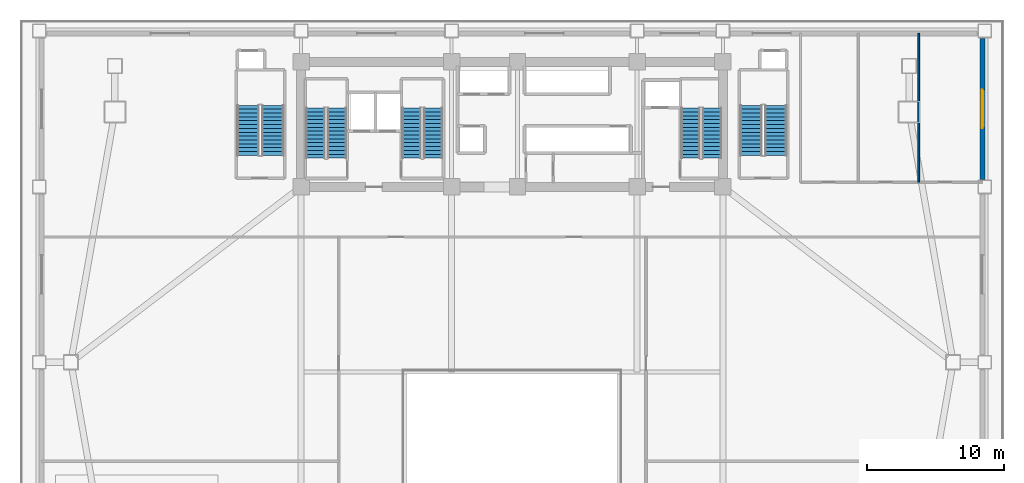
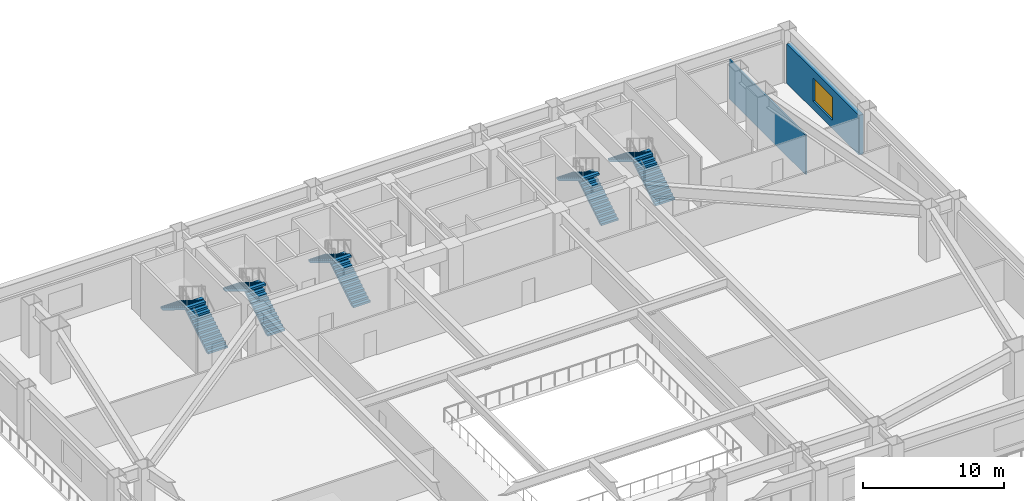
# One storey, part 9 of 14: 10 stair flights, 2 walls, 1 window, 1 opening, 5 elements without a shape of their own.
"""IFC4 building model written with IfcOpenShell, lengths in metres."""

from ifc_helpers import new_model, si_unit, direction, frame, frame_2d, origin, place, context, subcontext, project, spatial, polyline, rectangle, outline, extrude, source, transform, mapped, material, layer, layer_set, type_object, element, fill, aggregate, save


model = new_model("IFC4")

# Units and contexts
model_context = context("Model", 3, precision=1e-05, world=origin(), true_north=direction((0.0, 1.0)))
body_context = subcontext(model_context, "Body", "Model", "MODEL_VIEW")
ifc_project = project(units=[si_unit("LENGTHUNIT", "METRE"), si_unit("AREAUNIT", "SQUARE_METRE"), si_unit("VOLUMEUNIT", "CUBIC_METRE"), si_unit("PLANEANGLEUNIT", "RADIAN"), si_unit("MASSUNIT", "GRAM", prefix="KILO")], contexts=[model_context])

# Site, building, storey
site_placement = place(None, origin())
site = spatial("IfcSite", under=ifc_project, at=site_placement, CompositionType="ELEMENT")
building_placement = place(site_placement, origin())
building = spatial("IfcBuilding", under=site, at=building_placement, Name="Giltprow Tower", CompositionType="ELEMENT")
storey_placement = place(building_placement, frame((0.0, 0.0, 10.39990234375)))
storey = spatial("IfcBuildingStorey", under=building, at=storey_placement, Name="L03", CompositionType="ELEMENT", Elevation=10.39990234375)

# Wall, opening, window
ifc_material_1 = material(Name="Precast concrete C40", Category="concrete")
ifc_layer_1 = layer(ifc_material_1, 0.360107421875, Name="Precast concrete C40")
ifc_layer_set_1 = layer_set([ifc_layer_1], Name="Precast concrete C40")
wall_type_1 = type_object("IfcWallType", Name="EW-POD-STONE-360", PredefinedType="SOLIDWALL", material=ifc_layer_set_1)
wall_1_placement = place(storey_placement, frame((69.419921875, 38.0, 0.0), z_axis=(0.0, 0.0, 1.0), x_axis=(0.0, 1.0, 0.0)))
wall_1 = element("IfcWall", 1, at=wall_1_placement, inside=storey, type_object=wall_type_1, Name="L03 E Podium Masonry Wall 3", PredefinedType="SOLIDWALL", context=body_context, shape_type="SweptSolid", body=[
    extrude(rectangle(XDim=10.25, YDim=0.360107421875, at=frame_2d((5.125, 0.0))), origin(), (0.0, 0.0, 1.0), 3.420166015625),
])
opening_placement = place(wall_1_placement, frame((3.72509765625, 0.0, 0.719970703125)))
opening = element("IfcOpeningElement", 2, at=opening_placement, cuts=wall_1, Name="Opening WN31", PredefinedType="OPENING", context=body_context, shape_type="SweptSolid", body=[
    extrude(rectangle(XDim=2.800048828125, YDim=2.0, at=frame_2d((1.39990234375, 1.0))), frame((0.0, 0.18994140625, 0.0), z_axis=(0.0, -1.0, 0.0), x_axis=(1.0, 0.0, 0.0)), (0.0, 0.0, 1.0), 0.380126953125),
])
ifc_material_2 = material(Name="Insulated glass", Category="glass")
window_type = type_object("IfcWindowType", Name="WN-POD-2800x2000", PartitioningType="SINGLE_PANEL", PredefinedType="WINDOW", material=ifc_material_2)
shared_shape = source(origin(), body_context, "Body", "SweptSolid", [
    extrude(rectangle(XDim=2.800048828125, YDim=2.0, at=frame_2d((1.39990234375, 1.0))), frame((0.0, 0.030029296875, 0.0), z_axis=(0.0, -1.0, 0.0), x_axis=(1.0, 0.0, 0.0)), (0.0, 0.0, 1.0), 0.06005859375),
])
window_placement = place(opening_placement, origin())
window = element("IfcWindow", 3, at=window_placement, inside=storey, type_object=window_type, Name="L03 Podium E Window 3", OverallHeight=2.0, OverallWidth=2.800048828125, PartitioningType="SINGLE_PANEL", PredefinedType="WINDOW", context=body_context, shape_type="MappedRepresentation", body=[
    mapped(shared_shape, transform((0.0, 0.0, 0.0), x_axis=(1.0, 0.0, 0.0), y_axis=(0.0, 1.0, 0.0), z_axis=(0.0, 0.0, 1.0), scale=1.0)),
])
fill(opening, window)

# Wall
ifc_material_3 = material(Name="Concrete C30", Category="concrete")
ifc_layer_2 = layer(ifc_material_3, 0.1298828125, Name="Concrete C30")
ifc_layer_set_2 = layer_set([ifc_layer_2], Name="Concrete C30")
wall_type_2 = type_object("IfcWallType", Name="IW-WET-130", PredefinedType="PARTITIONING", material=ifc_layer_set_2)
wall_2_placement = place(storey_placement, frame((64.800048828125, 37.800048828125, 0.0), z_axis=(0.0, 0.0, 1.0), x_axis=(0.0, 1.0, 0.0)))
element("IfcWall", 4, at=wall_2_placement, inside=storey, type_object=wall_type_2, Name="L03 Washroom Divider 2", PredefinedType="PARTITIONING", context=body_context, shape_type="SweptSolid", body=[
    extrude(rectangle(XDim=10.820068359375, YDim=0.1298828125, at=frame_2d((5.41015625, 0.0))), origin(), (0.0, 0.0, 1.0), 3.425048828125),
])

# Stair, stair flights
ifc_material_4 = material(Name="Concrete C40", Category="concrete")
stair_type_1 = type_object("IfcStairType", Name="STR-ST-1", PredefinedType="HALF_TURN_STAIR", material=ifc_material_4)
stair_1_placement = place(storey_placement, origin())
stair_1 = element("IfcStair", 5, at=stair_1_placement, inside=storey, type_object=stair_type_1, Name="L03 Core Exit Stair ST-1", PredefinedType="HALF_TURN_STAIR")
stair_flight_type_1 = type_object("IfcStairFlightType", Name="SFL-ST-1", PredefinedType="STRAIGHT", material=ifc_material_4)
stair_flight_1_placement = place(storey_placement, frame((22.4599609375, 39.550048828125, 0.0), z_axis=(0.0, 0.0, 1.0), x_axis=(0.0, 1.0, 0.0)))
stair_flight_1 = element("IfcStairFlight", 6, at=stair_flight_1_placement, type_object=stair_flight_type_1, Name="ST-1 flight 1", NumberOfRisers=14, NumberOfTreads=13, PredefinedType="STRAIGHT", RiserHeight=0.171428571, TreadLength=0.28, context=body_context, shape_type="SweptSolid", body=[
    extrude(outline(polyline([(0.0, 0.0), (0.0, 0.17138671875), (0.280029296875, 0.17138671875), (0.280029296875, 0.3427734375), (0.56005859375, 0.3427734375), (0.56005859375, 0.514404296875), (0.840087890625, 0.514404296875), (0.840087890625, 0.685791015625), (1.1201171875, 0.685791015625), (1.1201171875, 0.857177734375), (1.39990234375, 0.857177734375), (1.39990234375, 1.028564453125), (1.679931640625, 1.028564453125), (1.679931640625, 1.199951171875), (1.9599609375, 1.199951171875), (1.9599609375, 1.371337890625), (2.239990234375, 1.371337890625), (2.239990234375, 1.54296875), (2.52001953125, 1.54296875), (2.52001953125, 1.71435546875), (2.800048828125, 1.71435546875), (2.800048828125, 1.8857421875), (3.080078125, 1.8857421875), (3.080078125, 2.05712890625), (3.360107421875, 2.05712890625), (3.360107421875, 2.228515625), (3.639892578125, 2.228515625), (3.639892578125, 2.39990234375), (3.639892578125, 2.052734375), (0.287109375, 0.0), (0.0, 0.0)])), frame((0.0, 0.699951171875, 0.0), z_axis=(0.0, -1.0, 0.0), x_axis=(1.0, 0.0, 0.0)), (0.0, 0.0, 1.0), 1.39990234375),
])
stair_flight_2_placement = place(storey_placement, frame((20.89990234375, 43.18994140625, 2.400146484375), z_axis=(0.0, 0.0, 1.0), x_axis=(0.0, -1.0, 0.0)))
stair_flight_2 = element("IfcStairFlight", 7, at=stair_flight_2_placement, type_object=stair_flight_type_1, Name="ST-1 flight 2", NumberOfRisers=14, NumberOfTreads=13, PredefinedType="STRAIGHT", RiserHeight=0.171428571, TreadLength=0.28, context=body_context, shape_type="SweptSolid", body=[
    extrude(outline(polyline([(0.0, 0.0), (0.0, 0.17138671875), (0.280029296875, 0.17138671875), (0.280029296875, 0.3427734375), (0.56005859375, 0.3427734375), (0.56005859375, 0.514404296875), (0.840087890625, 0.514404296875), (0.840087890625, 0.685791015625), (1.1201171875, 0.685791015625), (1.1201171875, 0.857177734375), (1.39990234375, 0.857177734375), (1.39990234375, 1.028564453125), (1.679931640625, 1.028564453125), (1.679931640625, 1.199951171875), (1.9599609375, 1.199951171875), (1.9599609375, 1.371337890625), (2.239990234375, 1.371337890625), (2.239990234375, 1.54296875), (2.52001953125, 1.54296875), (2.52001953125, 1.71435546875), (2.800048828125, 1.71435546875), (2.800048828125, 1.8857421875), (3.080078125, 1.8857421875), (3.080078125, 2.05712890625), (3.360107421875, 2.05712890625), (3.360107421875, 2.228515625), (3.639892578125, 2.228515625), (3.639892578125, 2.39990234375), (3.639892578125, 2.052734375), (0.287109375, 0.0), (0.0, 0.0)])), frame((0.0, 0.699951171875, 0.0), z_axis=(0.0, -1.0, 0.0), x_axis=(1.0, 0.0, 0.0)), (0.0, 0.0, 1.0), 1.39990234375),
])
aggregate(stair_1, [stair_flight_1, stair_flight_2])

stair_type_2 = type_object("IfcStairType", Name="STR-ST-2", PredefinedType="HALF_TURN_STAIR", material=ifc_material_4)
stair_2_placement = place(storey_placement, origin())
stair_2 = element("IfcStair", 8, at=stair_2_placement, inside=storey, type_object=stair_type_2, Name="L03 Core Exit Stair ST-2", PredefinedType="HALF_TURN_STAIR")
stair_flight_type_2 = type_object("IfcStairFlightType", Name="SFL-ST-2", PredefinedType="STRAIGHT", material=ifc_material_4)
stair_flight_3_placement = place(storey_placement, frame((29.4599609375, 39.550048828125, 0.0), z_axis=(0.0, 0.0, 1.0), x_axis=(0.0, 1.0, 0.0)))
stair_flight_3 = element("IfcStairFlight", 9, at=stair_flight_3_placement, type_object=stair_flight_type_2, Name="ST-2 flight 1", NumberOfRisers=14, NumberOfTreads=13, PredefinedType="STRAIGHT", RiserHeight=0.171428571, TreadLength=0.28, context=body_context, shape_type="SweptSolid", body=[
    extrude(outline(polyline([(0.0, 0.0), (0.0, 0.17138671875), (0.280029296875, 0.17138671875), (0.280029296875, 0.3427734375), (0.56005859375, 0.3427734375), (0.56005859375, 0.514404296875), (0.840087890625, 0.514404296875), (0.840087890625, 0.685791015625), (1.1201171875, 0.685791015625), (1.1201171875, 0.857177734375), (1.39990234375, 0.857177734375), (1.39990234375, 1.028564453125), (1.679931640625, 1.028564453125), (1.679931640625, 1.199951171875), (1.9599609375, 1.199951171875), (1.9599609375, 1.371337890625), (2.239990234375, 1.371337890625), (2.239990234375, 1.54296875), (2.52001953125, 1.54296875), (2.52001953125, 1.71435546875), (2.800048828125, 1.71435546875), (2.800048828125, 1.8857421875), (3.080078125, 1.8857421875), (3.080078125, 2.05712890625), (3.360107421875, 2.05712890625), (3.360107421875, 2.228515625), (3.639892578125, 2.228515625), (3.639892578125, 2.39990234375), (3.639892578125, 2.052734375), (0.287109375, 0.0), (0.0, 0.0)])), frame((0.0, 0.699951171875, 0.0), z_axis=(0.0, -1.0, 0.0), x_axis=(1.0, 0.0, 0.0)), (0.0, 0.0, 1.0), 1.39990234375),
])
stair_flight_4_placement = place(storey_placement, frame((27.89990234375, 43.18994140625, 2.400146484375), z_axis=(0.0, 0.0, 1.0), x_axis=(0.0, -1.0, 0.0)))
stair_flight_4 = element("IfcStairFlight", 10, at=stair_flight_4_placement, type_object=stair_flight_type_2, Name="ST-2 flight 2", NumberOfRisers=14, NumberOfTreads=13, PredefinedType="STRAIGHT", RiserHeight=0.171428571, TreadLength=0.28, context=body_context, shape_type="SweptSolid", body=[
    extrude(outline(polyline([(0.0, 0.0), (0.0, 0.17138671875), (0.280029296875, 0.17138671875), (0.280029296875, 0.3427734375), (0.56005859375, 0.3427734375), (0.56005859375, 0.514404296875), (0.840087890625, 0.514404296875), (0.840087890625, 0.685791015625), (1.1201171875, 0.685791015625), (1.1201171875, 0.857177734375), (1.39990234375, 0.857177734375), (1.39990234375, 1.028564453125), (1.679931640625, 1.028564453125), (1.679931640625, 1.199951171875), (1.9599609375, 1.199951171875), (1.9599609375, 1.371337890625), (2.239990234375, 1.371337890625), (2.239990234375, 1.54296875), (2.52001953125, 1.54296875), (2.52001953125, 1.71435546875), (2.800048828125, 1.71435546875), (2.800048828125, 1.8857421875), (3.080078125, 1.8857421875), (3.080078125, 2.05712890625), (3.360107421875, 2.05712890625), (3.360107421875, 2.228515625), (3.639892578125, 2.228515625), (3.639892578125, 2.39990234375), (3.639892578125, 2.052734375), (0.287109375, 0.0), (0.0, 0.0)])), frame((0.0, 0.699951171875, 0.0), z_axis=(0.0, -1.0, 0.0), x_axis=(1.0, 0.0, 0.0)), (0.0, 0.0, 1.0), 1.39990234375),
])
aggregate(stair_2, [stair_flight_3, stair_flight_4])

stair_type_3 = type_object("IfcStairType", Name="STR-ST-3", PredefinedType="HALF_TURN_STAIR", material=ifc_material_4)
stair_3_placement = place(storey_placement, origin())
stair_3 = element("IfcStair", 11, at=stair_3_placement, inside=storey, type_object=stair_type_3, Name="L03 Core Exit Stair ST-3", PredefinedType="HALF_TURN_STAIR")
stair_flight_type_3 = type_object("IfcStairFlightType", Name="SFL-ST-3", PredefinedType="STRAIGHT", material=ifc_material_4)
stair_flight_5_placement = place(storey_placement, frame((49.760009765625, 39.550048828125, 0.0), z_axis=(0.0, 0.0, 1.0), x_axis=(0.0, 1.0, 0.0)))
stair_flight_5 = element("IfcStairFlight", 12, at=stair_flight_5_placement, type_object=stair_flight_type_3, Name="ST-3 flight 1", NumberOfRisers=14, NumberOfTreads=13, PredefinedType="STRAIGHT", RiserHeight=0.171428571, TreadLength=0.28, context=body_context, shape_type="SweptSolid", body=[
    extrude(outline(polyline([(0.0, 0.0), (0.0, 0.17138671875), (0.280029296875, 0.17138671875), (0.280029296875, 0.3427734375), (0.56005859375, 0.3427734375), (0.56005859375, 0.514404296875), (0.840087890625, 0.514404296875), (0.840087890625, 0.685791015625), (1.1201171875, 0.685791015625), (1.1201171875, 0.857177734375), (1.39990234375, 0.857177734375), (1.39990234375, 1.028564453125), (1.679931640625, 1.028564453125), (1.679931640625, 1.199951171875), (1.9599609375, 1.199951171875), (1.9599609375, 1.371337890625), (2.239990234375, 1.371337890625), (2.239990234375, 1.54296875), (2.52001953125, 1.54296875), (2.52001953125, 1.71435546875), (2.800048828125, 1.71435546875), (2.800048828125, 1.8857421875), (3.080078125, 1.8857421875), (3.080078125, 2.05712890625), (3.360107421875, 2.05712890625), (3.360107421875, 2.228515625), (3.639892578125, 2.228515625), (3.639892578125, 2.39990234375), (3.639892578125, 2.052734375), (0.287109375, 0.0), (0.0, 0.0)])), frame((0.0, 0.699951171875, 0.0), z_axis=(0.0, -1.0, 0.0), x_axis=(1.0, 0.0, 0.0)), (0.0, 0.0, 1.0), 1.39990234375),
])
stair_flight_6_placement = place(storey_placement, frame((48.199951171875, 43.18994140625, 2.400146484375), z_axis=(0.0, 0.0, 1.0), x_axis=(0.0, -1.0, 0.0)))
stair_flight_6 = element("IfcStairFlight", 13, at=stair_flight_6_placement, type_object=stair_flight_type_3, Name="ST-3 flight 2", NumberOfRisers=14, NumberOfTreads=13, PredefinedType="STRAIGHT", RiserHeight=0.171428571, TreadLength=0.28, context=body_context, shape_type="SweptSolid", body=[
    extrude(outline(polyline([(0.0, 0.0), (0.0, 0.17138671875), (0.280029296875, 0.17138671875), (0.280029296875, 0.3427734375), (0.56005859375, 0.3427734375), (0.56005859375, 0.514404296875), (0.840087890625, 0.514404296875), (0.840087890625, 0.685791015625), (1.1201171875, 0.685791015625), (1.1201171875, 0.857177734375), (1.39990234375, 0.857177734375), (1.39990234375, 1.028564453125), (1.679931640625, 1.028564453125), (1.679931640625, 1.199951171875), (1.9599609375, 1.199951171875), (1.9599609375, 1.371337890625), (2.239990234375, 1.371337890625), (2.239990234375, 1.54296875), (2.52001953125, 1.54296875), (2.52001953125, 1.71435546875), (2.800048828125, 1.71435546875), (2.800048828125, 1.8857421875), (3.080078125, 1.8857421875), (3.080078125, 2.05712890625), (3.360107421875, 2.05712890625), (3.360107421875, 2.228515625), (3.639892578125, 2.228515625), (3.639892578125, 2.39990234375), (3.639892578125, 2.052734375), (0.287109375, 0.0), (0.0, 0.0)])), frame((0.0, 0.699951171875, 0.0), z_axis=(0.0, -1.0, 0.0), x_axis=(1.0, 0.0, 0.0)), (0.0, 0.0, 1.0), 1.39990234375),
])
aggregate(stair_3, [stair_flight_5, stair_flight_6])

stair_type_4 = type_object("IfcStairType", Name="STR-ST-P1", PredefinedType="HALF_TURN_STAIR", material=ifc_material_4)
stair_4_placement = place(storey_placement, origin())
stair_4 = element("IfcStair", 14, at=stair_4_placement, inside=storey, type_object=stair_type_4, Name="L03 Podium Exit Stair ST-P1", PredefinedType="HALF_TURN_STAIR")
stair_flight_type_4 = type_object("IfcStairFlightType", Name="SFL-ST-P1", PredefinedType="STRAIGHT", material=ifc_material_4)
stair_flight_7_placement = place(storey_placement, frame((17.800048828125, 39.75, 0.0), z_axis=(0.0, 0.0, 1.0), x_axis=(0.0, 1.0, 0.0)))
stair_flight_7 = element("IfcStairFlight", 15, at=stair_flight_7_placement, type_object=stair_flight_type_4, Name="ST-P1 flight 1", NumberOfRisers=14, NumberOfTreads=13, PredefinedType="STRAIGHT", RiserHeight=0.171428571, TreadLength=0.28, context=body_context, shape_type="SweptSolid", body=[
    extrude(outline(polyline([(0.0, 0.0), (0.0, 0.17138671875), (0.280029296875, 0.17138671875), (0.280029296875, 0.3427734375), (0.56005859375, 0.3427734375), (0.56005859375, 0.514404296875), (0.840087890625, 0.514404296875), (0.840087890625, 0.685791015625), (1.1201171875, 0.685791015625), (1.1201171875, 0.857177734375), (1.39990234375, 0.857177734375), (1.39990234375, 1.028564453125), (1.679931640625, 1.028564453125), (1.679931640625, 1.199951171875), (1.9599609375, 1.199951171875), (1.9599609375, 1.371337890625), (2.239990234375, 1.371337890625), (2.239990234375, 1.54296875), (2.52001953125, 1.54296875), (2.52001953125, 1.71435546875), (2.800048828125, 1.71435546875), (2.800048828125, 1.8857421875), (3.080078125, 1.8857421875), (3.080078125, 2.05712890625), (3.360107421875, 2.05712890625), (3.360107421875, 2.228515625), (3.639892578125, 2.228515625), (3.639892578125, 2.39990234375), (3.639892578125, 2.052734375), (0.287109375, 0.0), (0.0, 0.0)])), frame((0.0, 0.800048828125, 0.0), z_axis=(0.0, -1.0, 0.0), x_axis=(1.0, 0.0, 0.0)), (0.0, 0.0, 1.0), 1.60009765625),
])
stair_flight_8_placement = place(storey_placement, frame((16.0, 43.389892578125, 2.400146484375), z_axis=(0.0, 0.0, 1.0), x_axis=(0.0, -1.0, 0.0)))
stair_flight_8 = element("IfcStairFlight", 16, at=stair_flight_8_placement, type_object=stair_flight_type_4, Name="ST-P1 flight 2", NumberOfRisers=14, NumberOfTreads=13, PredefinedType="STRAIGHT", RiserHeight=0.171428571, TreadLength=0.28, context=body_context, shape_type="SweptSolid", body=[
    extrude(outline(polyline([(0.0, 0.0), (0.0, 0.17138671875), (0.280029296875, 0.17138671875), (0.280029296875, 0.3427734375), (0.56005859375, 0.3427734375), (0.56005859375, 0.514404296875), (0.840087890625, 0.514404296875), (0.840087890625, 0.685791015625), (1.1201171875, 0.685791015625), (1.1201171875, 0.857177734375), (1.39990234375, 0.857177734375), (1.39990234375, 1.028564453125), (1.679931640625, 1.028564453125), (1.679931640625, 1.199951171875), (1.9599609375, 1.199951171875), (1.9599609375, 1.371337890625), (2.239990234375, 1.371337890625), (2.239990234375, 1.54296875), (2.52001953125, 1.54296875), (2.52001953125, 1.71435546875), (2.800048828125, 1.71435546875), (2.800048828125, 1.8857421875), (3.080078125, 1.8857421875), (3.080078125, 2.05712890625), (3.360107421875, 2.05712890625), (3.360107421875, 2.228515625), (3.639892578125, 2.228515625), (3.639892578125, 2.39990234375), (3.639892578125, 2.052734375), (0.287109375, 0.0), (0.0, 0.0)])), frame((0.0, 0.800048828125, 0.0), z_axis=(0.0, -1.0, 0.0), x_axis=(1.0, 0.0, 0.0)), (0.0, 0.0, 1.0), 1.60009765625),
])
aggregate(stair_4, [stair_flight_7, stair_flight_8])

stair_type_5 = type_object("IfcStairType", Name="STR-ST-P2", PredefinedType="HALF_TURN_STAIR", material=ifc_material_4)
stair_5_placement = place(storey_placement, origin())
stair_5 = element("IfcStair", 17, at=stair_5_placement, inside=storey, type_object=stair_type_5, Name="L03 Podium Exit Stair ST-P2", PredefinedType="HALF_TURN_STAIR")
stair_flight_type_5 = type_object("IfcStairFlightType", Name="SFL-ST-P2", PredefinedType="STRAIGHT", material=ifc_material_4)
stair_flight_9_placement = place(storey_placement, frame((54.39990234375, 39.75, 0.0), z_axis=(0.0, 0.0, 1.0), x_axis=(0.0, 1.0, 0.0)))
stair_flight_9 = element("IfcStairFlight", 18, at=stair_flight_9_placement, type_object=stair_flight_type_5, Name="ST-P2 flight 1", NumberOfRisers=14, NumberOfTreads=13, PredefinedType="STRAIGHT", RiserHeight=0.171428571, TreadLength=0.28, context=body_context, shape_type="SweptSolid", body=[
    extrude(outline(polyline([(0.0, 0.0), (0.0, 0.17138671875), (0.280029296875, 0.17138671875), (0.280029296875, 0.3427734375), (0.56005859375, 0.3427734375), (0.56005859375, 0.514404296875), (0.840087890625, 0.514404296875), (0.840087890625, 0.685791015625), (1.1201171875, 0.685791015625), (1.1201171875, 0.857177734375), (1.39990234375, 0.857177734375), (1.39990234375, 1.028564453125), (1.679931640625, 1.028564453125), (1.679931640625, 1.199951171875), (1.9599609375, 1.199951171875), (1.9599609375, 1.371337890625), (2.239990234375, 1.371337890625), (2.239990234375, 1.54296875), (2.52001953125, 1.54296875), (2.52001953125, 1.71435546875), (2.800048828125, 1.71435546875), (2.800048828125, 1.8857421875), (3.080078125, 1.8857421875), (3.080078125, 2.05712890625), (3.360107421875, 2.05712890625), (3.360107421875, 2.228515625), (3.639892578125, 2.228515625), (3.639892578125, 2.39990234375), (3.639892578125, 2.052734375), (0.287109375, 0.0), (0.0, 0.0)])), frame((0.0, 0.800048828125, 0.0), z_axis=(0.0, -1.0, 0.0), x_axis=(1.0, 0.0, 0.0)), (0.0, 0.0, 1.0), 1.60009765625),
])
stair_flight_10_placement = place(storey_placement, frame((52.60009765625, 43.389892578125, 2.400146484375), z_axis=(0.0, 0.0, 1.0), x_axis=(0.0, -1.0, 0.0)))
stair_flight_10 = element("IfcStairFlight", 19, at=stair_flight_10_placement, type_object=stair_flight_type_5, Name="ST-P2 flight 2", NumberOfRisers=14, NumberOfTreads=13, PredefinedType="STRAIGHT", RiserHeight=0.171428571, TreadLength=0.28, context=body_context, shape_type="SweptSolid", body=[
    extrude(outline(polyline([(0.0, 0.0), (0.0, 0.17138671875), (0.280029296875, 0.17138671875), (0.280029296875, 0.3427734375), (0.56005859375, 0.3427734375), (0.56005859375, 0.514404296875), (0.840087890625, 0.514404296875), (0.840087890625, 0.685791015625), (1.1201171875, 0.685791015625), (1.1201171875, 0.857177734375), (1.39990234375, 0.857177734375), (1.39990234375, 1.028564453125), (1.679931640625, 1.028564453125), (1.679931640625, 1.199951171875), (1.9599609375, 1.199951171875), (1.9599609375, 1.371337890625), (2.239990234375, 1.371337890625), (2.239990234375, 1.54296875), (2.52001953125, 1.54296875), (2.52001953125, 1.71435546875), (2.800048828125, 1.71435546875), (2.800048828125, 1.8857421875), (3.080078125, 1.8857421875), (3.080078125, 2.05712890625), (3.360107421875, 2.05712890625), (3.360107421875, 2.228515625), (3.639892578125, 2.228515625), (3.639892578125, 2.39990234375), (3.639892578125, 2.052734375), (0.287109375, 0.0), (0.0, 0.0)])), frame((0.0, 0.800048828125, 0.0), z_axis=(0.0, -1.0, 0.0), x_axis=(1.0, 0.0, 0.0)), (0.0, 0.0, 1.0), 1.60009765625),
])
aggregate(stair_5, [stair_flight_9, stair_flight_10])

save(model, "model.ifc")
